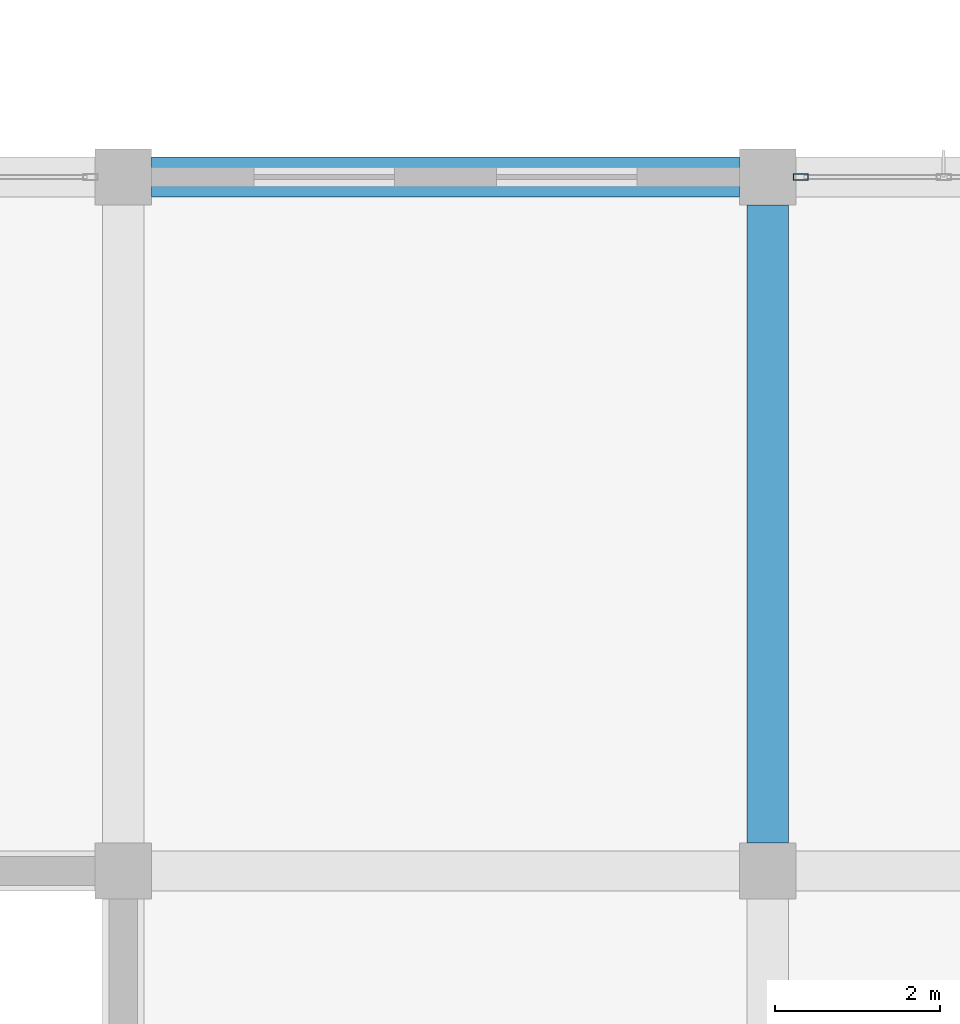
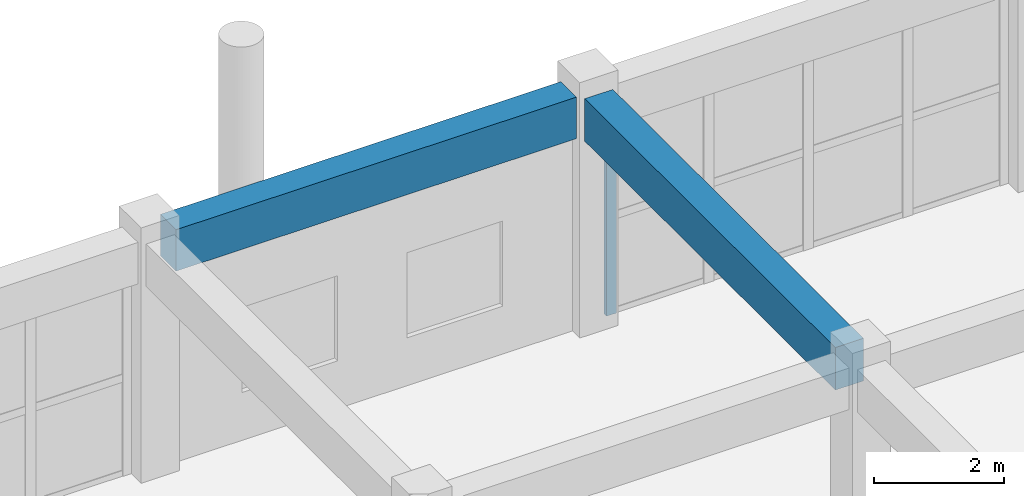
# One storey, part 118 of 175: 2 beams, 1 member, 1 element without a shape of its own.
"""IFC4 building model written with IfcOpenShell, lengths in metres."""

from ifc_helpers import new_model, si_unit, direction, frame, origin, origin_2d, place, context, subcontext, project, spatial, rectangle, hollow_rectangle, extrude, material, layer, layer_set, material_profile, profile_set, type_object, element, aggregate, save


model = new_model("IFC4")

# Units and contexts
model_context = context("Model", 3, precision=1e-05, world=origin(), true_north=direction((0.0, 1.0)))
body_context = subcontext(model_context, "Body", "Model", "MODEL_VIEW")
ifc_project = project(units=[si_unit("LENGTHUNIT", "METRE"), si_unit("AREAUNIT", "SQUARE_METRE"), si_unit("VOLUMEUNIT", "CUBIC_METRE"), si_unit("PLANEANGLEUNIT", "RADIAN"), si_unit("MASSUNIT", "GRAM", prefix="KILO")], contexts=[model_context])

# Site, building, storey
site_placement = place(None, origin())
site = spatial("IfcSite", under=ifc_project, at=site_placement, CompositionType="ELEMENT")
building_placement = place(site_placement, origin())
building = spatial("IfcBuilding", under=site, at=building_placement, Name="Zizhar Promenade General Hospital", CompositionType="ELEMENT")
storey_placement = place(building_placement, frame((0.0, 0.0, 4.800048828125)))
storey = spatial("IfcBuildingStorey", under=building, at=storey_placement, Name="L01", CompositionType="ELEMENT", Elevation=4.800048828125)

# Beams
ifc_material_1 = material(Name="Concrete C35/45", Category="concrete")
ifc_material_profile_1 = material_profile(ifc_material_1, rectangle(XDim=0.47998046875, YDim=0.780029296875, at=origin_2d()))
ifc_profile_set_1 = profile_set([ifc_material_profile_1], Name="Concrete C35/45")
beam_type_1 = type_object("IfcBeamType", Name="BM-RC-480x780", PredefinedType="BEAM", material=ifc_profile_set_1)
beam_1_placement = place(storey_placement, frame((179.739990234375, 109.199951171875, 4.079833984375), z_axis=(1.0, 0.0, 0.0), x_axis=(0.0, 1.0, 0.0)))
element("IfcBeam", 1, at=beam_1_placement, inside=storey, type_object=beam_type_1, Name="Grid Beam X L01 (23-13)", PredefinedType="BEAM", context=body_context, shape_type="SweptSolid", body=[
    extrude(rectangle(XDim=0.47998046875, YDim=0.780029296875, at=origin_2d()), origin(), (0.0, 0.0, 1.0), 7.1201171875),
])
ifc_material_2 = material(Name="Concrete C35/45", Category="concrete")
ifc_material_profile_2 = material_profile(ifc_material_2, rectangle(XDim=0.5, YDim=0.800048828125, at=origin_2d()))
ifc_profile_set_2 = profile_set([ifc_material_profile_2], Name="Concrete C35/45")
beam_type_2 = type_object("IfcBeamType", Name="BM-RC-500x800", PredefinedType="BEAM", material=ifc_profile_set_2)
beam_2_placement = place(storey_placement, frame((187.199951171875, 101.139892578125, 4.070068359375), z_axis=(0.0, 1.0, 0.0), x_axis=(-1.0, 0.0, 0.0)))
element("IfcBeam", 2, at=beam_2_placement, inside=storey, type_object=beam_type_2, Name="Grid Beam Y L01 (24-12)", PredefinedType="BEAM", context=body_context, shape_type="SweptSolid", body=[
    extrude(rectangle(XDim=0.5, YDim=0.800048828125, at=origin_2d()), origin(), (0.0, 0.0, 1.0), 7.72021484375),
])

# Curtain wall, member
ifc_material_3 = material(Name="Anodised aluminium 6063-T6 and low-E glass", Category="aluminium")
ifc_layer = layer(ifc_material_3, 0.159912109375)
ifc_layer_set = layer_set([ifc_layer], Name="Anodised aluminium 6063-T6 and low-E glass")
curtain_wall_type = type_object("IfcCurtainWallType", Name="CW-CLN-EXT", PredefinedType="NOTDEFINED", material=ifc_layer_set)
curtain_wall_placement = place(storey_placement, origin())
curtain_wall = element("IfcCurtainWall", 3, at=curtain_wall_placement, inside=storey, type_object=curtain_wall_type, Name="Outpatient North Curtain Wall L01-24", PredefinedType="NOTDEFINED")
ifc_material_4 = material(Name="Anodised aluminium 6063-T6", Category="aluminium")
ifc_material_profile_3 = material_profile(ifc_material_4, hollow_rectangle(XDim=0.080078125, YDim=0.179931640625, WallThickness=0.0048828125, at=origin_2d()))
ifc_profile_set_3 = profile_set([ifc_material_profile_3], Name="Anodised aluminium 6063-T6")
member_type = type_object("IfcMemberType", Name="CWM-ALU-180x80", PredefinedType="MULLION", material=ifc_profile_set_3)
member_placement = place(storey_placement, frame((187.60009765625, 109.199951171875, 0.0), z_axis=(0.0, 0.0, 1.0), x_axis=(0.0, 1.0, 0.0)))
member = element("IfcMember", 4, at=member_placement, type_object=member_type, Name="CW-09 mullion 1", PredefinedType="MULLION", context=body_context, shape_type="SweptSolid", body=[
    extrude(hollow_rectangle(XDim=0.080078125, YDim=0.179931640625, WallThickness=0.0048828125, at=origin_2d()), origin(), (0.0, 0.0, 1.0), 3.679931640625),
])
aggregate(curtain_wall, [member])

save(model, "model.ifc")
